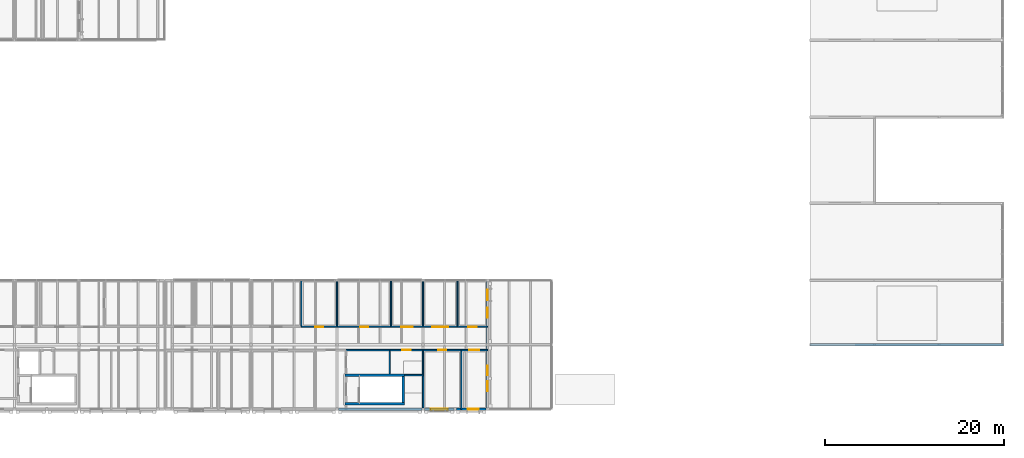
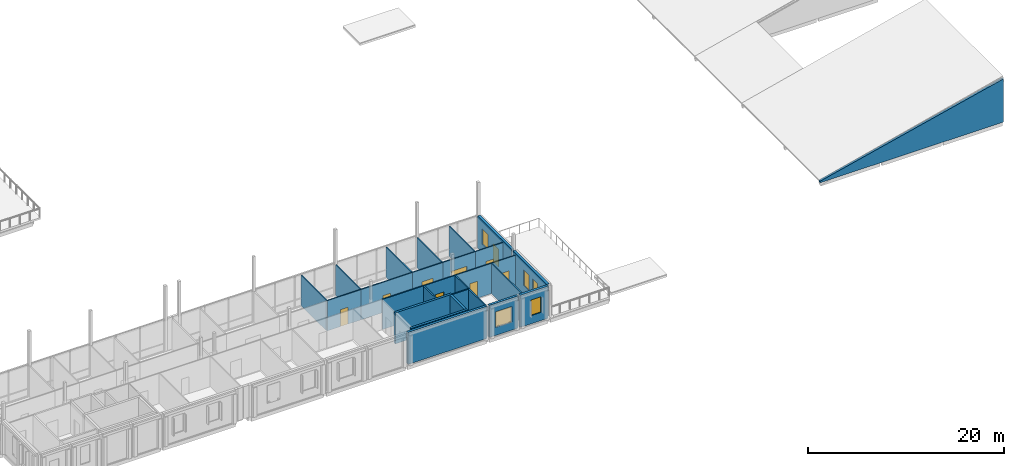
# One storey, part 43 of 57: 28 walls, 9 doors, 5 windows, 14 openings.
"""IFC4 building model written with IfcOpenShell, lengths in metres."""

import ifcopenshell
import ifcopenshell.guid

model = None  # the IFC model being written
_history = None  # IfcOwnerHistory: only IFC2X3 demands one
_inside = {}  # id of a spatial element -> (the spatial element, [elements in it])
_under = {}  # id of a project, library or spatial element -> (it, [spatial elements below it])
_declared = {}  # id of a project -> (the project, [libraries it declares])
_typed = {}  # id of a type object -> (the type object, [elements of that type])
_made_of = {}  # id of a material, layer set ... -> (it, [elements and type objects made of it])


def new_model(schema):
    """Start an empty IFC model of exactly this schema.

    Asked for "IFC4X3", IfcOpenShell would pick the latest addendum, in which some entities
    have other attributes; the version numbers below select the first issue.
    IFC2X3 requires an IfcOwnerHistory on every rooted entity: one is made here for all.
    """
    global model, _history
    if schema == "IFC4X3":
        model = ifcopenshell.file(schema_version=(4, 3, 0, 0))
    else:
        model = ifcopenshell.file(schema=schema)
    _inside.clear()
    _under.clear()
    _declared.clear()
    _typed.clear()
    _made_of.clear()
    _history = None
    if model.schema == "IFC2X3":
        org = make("IfcOrganization", Name="unknown")
        user = make(
            "IfcPersonAndOrganization",
            ThePerson=make("IfcPerson", FamilyName="unknown"),
            TheOrganization=org,
        )
        app = make(
            "IfcApplication",
            ApplicationDeveloper=org,
            Version="unknown",
            ApplicationFullName="unknown",
            ApplicationIdentifier="unknown",
        )
        _history = make(
            "IfcOwnerHistory",
            OwningUser=user,
            OwningApplication=app,
            ChangeAction="ADDED",
            CreationDate=0,
        )
    return model


def make(cls, **values):
    """One entity of the class cls with the attributes given. An attribute that is None is left unset."""
    return model.create_entity(
        cls, **{name: value for name, value in values.items() if value is not None}
    )


def rooted(cls, **values):
    """An entity with a GlobalId (a new one), such as an element, a storey or a relation."""
    return make(cls, GlobalId=ifcopenshell.guid.new(), OwnerHistory=_history, **values)


def si_unit(unit_type, name, prefix=None):
    """IfcSIUnit, for example si_unit("LENGTHUNIT", "METRE", prefix="MILLI")."""
    return make("IfcSIUnit", UnitType=unit_type, Prefix=prefix, Name=name)


def assignment(units):
    """IfcUnitAssignment: the units of a project."""
    return None if units is None else make("IfcUnitAssignment", Units=units)


def point(xyz):
    """IfcCartesianPoint."""
    return None if xyz is None else make("IfcCartesianPoint", Coordinates=xyz)


def direction(xyz):
    """IfcDirection."""
    return None if xyz is None else make("IfcDirection", DirectionRatios=xyz)


def frame(location, z_axis=None, x_axis=None):
    """IfcAxis2Placement3D, a coordinate frame: its origin and axes. An axis left out is left unset."""
    return make(
        "IfcAxis2Placement3D",
        Location=point(location),
        Axis=direction(z_axis),
        RefDirection=direction(x_axis),
    )


def frame_2d(location, x_axis=None):
    """IfcAxis2Placement2D, a coordinate frame in the plane: its origin and x axis."""
    return make(
        "IfcAxis2Placement2D", Location=point(location), RefDirection=direction(x_axis)
    )


def origin():
    """The frame at (0, 0, 0) with its axes left unset."""
    return frame((0.0, 0.0, 0.0))


def place(relative_to, where):
    """IfcLocalPlacement: puts the frame where relative to a parent placement (None: the world)."""
    return make(
        "IfcLocalPlacement", PlacementRelTo=relative_to, RelativePlacement=where
    )


def context(
    kind, dimensions, precision=None, world=None, true_north=None, identifier=None
):
    """IfcGeometricRepresentationContext, for example the 3D "Model" context."""
    return make(
        "IfcGeometricRepresentationContext",
        ContextIdentifier=identifier,
        ContextType=kind,
        CoordinateSpaceDimension=dimensions,
        Precision=precision,
        WorldCoordinateSystem=world,
        TrueNorth=true_north,
    )


def subcontext(parent, identifier, kind, view, scale=None):
    """IfcGeometricRepresentationSubContext, for example "Body" below "Model"."""
    return make(
        "IfcGeometricRepresentationSubContext",
        ContextIdentifier=identifier,
        ContextType=kind,
        ParentContext=parent,
        TargetScale=scale,
        TargetView=view,
    )


def project(units=None, contexts=None):
    """IfcProject with its units and contexts."""
    return rooted(
        "IfcProject",
        Name="project",
        RepresentationContexts=contexts,
        UnitsInContext=assignment(units),
    )


def spatial(cls, under=None, at=None, **own):
    """A site, building, storey or space (cls), placed at a placement, below another one or the project."""
    s = rooted(cls, ObjectPlacement=at, **own)
    if under is not None:
        _under.setdefault(under.id(), (under, []))[1].append(s)
    return s


def polyline(points):
    """IfcPolyline through the points."""
    return make("IfcPolyline", Points=[point(p) for p in points])


def profile(cls, at=None, kind="AREA", **sizes):
    """A parametric profile (cls). Its sizes go by their IFC names, for example OverallWidth=200.0."""
    return make(cls, ProfileType=kind, Position=at, **sizes)


def rectangle(**sizes):
    """IfcRectangleProfileDef."""
    return profile("IfcRectangleProfileDef", **sizes)


def outline(outer, holes=None, kind="AREA"):
    """IfcArbitraryClosedProfileDef: a profile drawn as a closed curve; with holes, ...WithVoids."""
    if holes is None:
        return make("IfcArbitraryClosedProfileDef", ProfileType=kind, OuterCurve=outer)
    return make(
        "IfcArbitraryProfileDefWithVoids",
        ProfileType=kind,
        OuterCurve=outer,
        InnerCurves=holes,
    )


def extrude(swept, where, along, depth):
    """IfcExtrudedAreaSolid: the profile swept, set in the frame where, extruded along a direction by depth."""
    return make(
        "IfcExtrudedAreaSolid",
        SweptArea=swept,
        Position=where,
        ExtrudedDirection=direction(along),
        Depth=depth,
    )


def shape(context_of_items, identifier, shape_type, items):
    """IfcShapeRepresentation: the items that make up one representation, for example the "Body"."""
    return make(
        "IfcShapeRepresentation",
        ContextOfItems=context_of_items,
        RepresentationIdentifier=identifier,
        RepresentationType=shape_type,
        Items=items,
    )


def material(Name=None, Category=None):
    """IfcMaterial."""
    return make("IfcMaterial", Name=Name, Category=Category)


def layer(
    of_material, thickness, ventilated=None, Name=None, Category=None, Priority=None
):
    """IfcMaterialLayer: one layer of a wall or slab, of a material (None: an air gap)."""
    return make(
        "IfcMaterialLayer",
        Material=of_material,
        LayerThickness=thickness,
        IsVentilated=ventilated,
        Name=Name,
        Category=Category,
        Priority=Priority,
    )


def layer_set(layers, Name=None):
    """IfcMaterialLayerSet."""
    return make("IfcMaterialLayerSet", MaterialLayers=layers, LayerSetName=Name)


def made_of(thing, what):
    """Note that an element or type object is made of a material, layer set ...; save() writes the relation."""
    if what is not None:
        _made_of.setdefault(what.id(), (what, []))[1].append(thing)
    return thing


def type_object(cls, material=None, **own):
    """A type object (cls), such as IfcWallType, which elements share."""
    return made_of(rooted(cls, **own), material)


def element(
    cls,
    number,
    at=None,
    inside=None,
    cuts=None,
    type_object=None,
    material=None,
    context=None,
    identifier="Body",
    shape_type=None,
    held_by="IfcProductDefinitionShape",
    body=None,
    shapes=None,
    **own,
):
    """One element of the class cls, such as IfcWall. Its Tag is "e" and its number.

    at: its placement. inside: the storey or other place that contains it. cuts: it is an
    opening in that element (IfcRelVoidsElement). A single representation is given by context,
    identifier, shape_type and body (its items); several are given by shapes. held_by: the class
    of the entity that holds the representations. save() writes the other relations.
    """
    e = rooted(cls, Tag="e%d" % number, ObjectPlacement=at, **own)
    if body is not None:
        shapes = [shape(context, identifier, shape_type, body)]
    if shapes is not None:
        e.Representation = make(held_by, Representations=shapes)
    if inside is not None:
        _inside.setdefault(inside.id(), (inside, []))[1].append(e)
    if cuts is not None:
        rooted(
            "IfcRelVoidsElement", RelatingBuildingElement=cuts, RelatedOpeningElement=e
        )
    if type_object is not None:
        _typed.setdefault(type_object.id(), (type_object, []))[1].append(e)
    return made_of(e, material)


def fill(opening, filler):
    """IfcRelFillsElement: the door or window that sits in an opening."""
    return rooted(
        "IfcRelFillsElement",
        RelatingOpeningElement=opening,
        RelatedBuildingElement=filler,
    )


def aggregate(whole, parts):
    """IfcRelAggregates: a whole, such as a stair, and the parts it consists of."""
    return rooted("IfcRelAggregates", RelatingObject=whole, RelatedObjects=parts)


def save(model, path):
    """Write the relations noted so far, then the file.

    IfcRelAggregates (storeys below a building ...), IfcRelContainedInSpatialStructure (elements
    in a storey), IfcRelDefinesByType, IfcRelAssociatesMaterial and IfcRelDeclares: one each for
    every whole, place, type object, material and project.
    """
    for whole, parts in _under.values():
        aggregate(whole, parts)
    for where, things in _inside.values():
        rooted(
            "IfcRelContainedInSpatialStructure",
            RelatedElements=things,
            RelatingStructure=where,
        )
    for kind, things in _typed.values():
        rooted("IfcRelDefinesByType", RelatedObjects=things, RelatingType=kind)
    for what, things in _made_of.values():
        rooted("IfcRelAssociatesMaterial", RelatedObjects=things, RelatingMaterial=what)
    for by, libraries in _declared.values():
        rooted("IfcRelDeclares", RelatingContext=by, RelatedDefinitions=libraries)
    model.write(path)


model = new_model("IFC4")

# Units and contexts
model_context = context("Model", 3, precision=1e-05, world=origin(), true_north=direction((0.0, 1.0)))
body_context = subcontext(model_context, "Body", "Model", "MODEL_VIEW")
ifc_project = project(units=[si_unit("LENGTHUNIT", "METRE"), si_unit("AREAUNIT", "SQUARE_METRE"), si_unit("VOLUMEUNIT", "CUBIC_METRE"), si_unit("PLANEANGLEUNIT", "RADIAN"), si_unit("MASSUNIT", "GRAM", prefix="KILO")], contexts=[model_context])

# Site, building, storey
site_placement = place(None, origin())
site = spatial("IfcSite", under=ifc_project, at=site_placement, CompositionType="ELEMENT")
building_placement = place(site_placement, origin())
building = spatial("IfcBuilding", under=site, at=building_placement, Name="Hawrajan Terrace Health Centre", CompositionType="ELEMENT")
storey_placement = place(building_placement, frame((0.0, 0.0, 13.199951171875)))
storey = spatial("IfcBuildingStorey", under=building, at=storey_placement, Name="L03", CompositionType="ELEMENT", Elevation=13.199951171875)

# Wall
ifc_material_1 = material(Name="Gypsum board on acoustic stud framing")
ifc_layer_1 = layer(ifc_material_1, 0.139892578125)
ifc_layer_set_1 = layer_set([ifc_layer_1], Name="Gypsum board on acoustic stud framing")
wall_type_1 = type_object("IfcWallType", Name="ClinicalAcousticWall_140", PredefinedType="PARTITIONING", material=ifc_layer_set_1)
wall_1_placement = place(storey_placement, frame((87.01611328125, 13.469970703125, 0.0), z_axis=(0.0, 0.0, 1.0), x_axis=(0.0, 1.0, 0.0)))
element("IfcWall", 1, at=wall_1_placement, inside=storey, type_object=wall_type_1, Name="Interior wall IW-L03-1371", PredefinedType="PARTITIONING", context=body_context, shape_type="SweptSolid", body=[
    extrude(rectangle(XDim=5.130126953125, YDim=0.139892578125, at=frame_2d((2.56494140625, 0.0))), origin(), (0.0, 0.0, 1.0), 3.75),
])

# Wall, opening, door
wall_2_placement = place(storey_placement, frame((87.01611328125, 13.39990234375, 0.0), z_axis=(0.0, 0.0, 1.0), x_axis=(1.0, 0.0, 0.0)))
wall_2 = element("IfcWall", 2, at=wall_2_placement, inside=storey, type_object=wall_type_1, Name="Interior wall IW-L03-1372", PredefinedType="PARTITIONING", context=body_context, shape_type="SweptSolid", body=[
    extrude(rectangle(XDim=3.98388671875, YDim=0.139892578125, at=frame_2d((1.991943359375, 0.0))), origin(), (0.0, 0.0, 1.0), 3.75),
])
opening_1_placement = place(wall_2_placement, frame((1.5419921875, 0.0, 0.0)))
opening_1 = element("IfcOpeningElement", 3, at=opening_1_placement, cuts=wall_2, Name="Opening D-L03-626", PredefinedType="OPENING", context=body_context, shape_type="SweptSolid", body=[
    extrude(rectangle(XDim=0.89990234375, YDim=2.10009765625, at=frame_2d((0.449951171875, 1.050048828125))), frame((0.0, 0.079833984375, 0.0), z_axis=(0.0, -1.0, 0.0), x_axis=(1.0, 0.0, 0.0)), (0.0, 0.0, 1.0), 0.159912109375),
])
ifc_material_2 = material(Name="Hardwood acoustic clinical door leaf and frame", Category="wood")
door_type_1 = type_object("IfcDoorType", Name="PatientWCDoor_900x2100", OperationType="NOTDEFINED", PredefinedType="DOOR", material=ifc_material_2)
door_1_placement = place(opening_1_placement, origin())
door_1 = element("IfcDoor", 4, at=door_1_placement, inside=storey, type_object=door_type_1, Name="Interior door D-L03-626", OperationType="SINGLE_SWING_RIGHT", OverallHeight=2.10009765625, OverallWidth=0.89990234375, PredefinedType="DOOR", context=body_context, shape_type="SweptSolid", body=[
    extrude(rectangle(XDim=0.89990234375, YDim=2.10009765625, at=frame_2d((0.449951171875, 1.050048828125))), frame((0.0, 0.02490234375, 0.0), z_axis=(0.0, -1.0, 0.0), x_axis=(1.0, 0.0, 0.0)), (0.0, 0.0, 1.0), 0.050048828125),
])
fill(opening_1, door_1)

# Wall
wall_3_placement = place(storey_placement, frame((91.0, 13.469970703125, 0.0), z_axis=(0.0, 0.0, 1.0), x_axis=(0.0, 1.0, 0.0)))
element("IfcWall", 5, at=wall_3_placement, inside=storey, type_object=wall_type_1, Name="Interior wall IW-L03-1375", PredefinedType="PARTITIONING", context=body_context, shape_type="SweptSolid", body=[
    extrude(rectangle(XDim=4.969970703125, YDim=0.139892578125, at=frame_2d((2.48486328125, 0.0))), origin(), (0.0, 0.0, 1.0), 3.75),
])

# Wall, opening, door
wall_4_placement = place(storey_placement, frame((91.0, 13.39990234375, 0.0), z_axis=(0.0, 0.0, 1.0), x_axis=(1.0, 0.0, 0.0)))
wall_4 = element("IfcWall", 6, at=wall_4_placement, inside=storey, type_object=wall_type_1, Name="Interior wall IW-L03-1376", PredefinedType="PARTITIONING", context=body_context, shape_type="SweptSolid", body=[
    extrude(rectangle(XDim=6.029052734375, YDim=0.139892578125, at=frame_2d((3.0146484375, 0.0))), origin(), (0.0, 0.0, 1.0), 3.75),
])
opening_2_placement = place(wall_4_placement, frame((2.564453125, 0.0, 0.0)))
opening_2 = element("IfcOpeningElement", 7, at=opening_2_placement, cuts=wall_4, Name="Opening D-L03-629", PredefinedType="OPENING", context=body_context, shape_type="SweptSolid", body=[
    extrude(rectangle(XDim=0.89990234375, YDim=2.10009765625, at=frame_2d((0.449951171875, 1.050048828125))), frame((0.0, 0.079833984375, 0.0), z_axis=(0.0, -1.0, 0.0), x_axis=(1.0, 0.0, 0.0)), (0.0, 0.0, 1.0), 0.159912109375),
])
door_2_placement = place(opening_2_placement, origin())
door_2 = element("IfcDoor", 8, at=door_2_placement, inside=storey, type_object=door_type_1, Name="Interior door D-L03-629", OperationType="SINGLE_SWING_LEFT", OverallHeight=2.10009765625, OverallWidth=0.89990234375, PredefinedType="DOOR", context=body_context, shape_type="SweptSolid", body=[
    extrude(rectangle(XDim=0.89990234375, YDim=2.10009765625, at=frame_2d((0.449951171875, 1.050048828125))), frame((0.0, 0.02490234375, 0.0), z_axis=(0.0, -1.0, 0.0), x_axis=(1.0, 0.0, 0.0)), (0.0, 0.0, 1.0), 0.050048828125),
])
fill(opening_2, door_2)

# Walls
wall_5_placement = place(storey_placement, frame((92.0, 10.800048828125, 0.0), z_axis=(0.0, 0.0, 1.0), x_axis=(1.0, 0.0, 0.0)))
element("IfcWall", 9, at=wall_5_placement, inside=storey, type_object=wall_type_1, Name="Interior wall IW-L03-1378", PredefinedType="PARTITIONING", context=body_context, shape_type="SweptSolid", body=[
    extrude(rectangle(XDim=4.885009765625, YDim=0.139892578125, at=frame_2d((2.4423828125, 0.0))), origin(), (0.0, 0.0, 1.0), 3.75),
])
wall_6_placement = place(storey_placement, frame((96.885009765625, 8.139892578125, 0.0), z_axis=(0.0, 0.0, 1.0), x_axis=(0.0, 1.0, 0.0)))
element("IfcWall", 10, at=wall_6_placement, inside=storey, type_object=wall_type_1, Name="Interior wall IW-L03-1379", PredefinedType="PARTITIONING", context=body_context, shape_type="SweptSolid", body=[
    extrude(rectangle(XDim=2.590087890625, YDim=0.139892578125, at=frame_2d((1.294921875, 0.0))), origin(), (0.0, 0.0, 1.0), 3.75),
])

# Wall, opening, door
wall_7_placement = place(storey_placement, frame((96.885009765625, 10.800048828125, 0.0), z_axis=(0.0, 0.0, 1.0), x_axis=(1.0, 0.0, 0.0)))
wall_7 = element("IfcWall", 11, at=wall_7_placement, inside=storey, type_object=wall_type_1, Name="Interior wall IW-L03-1380", PredefinedType="PARTITIONING", context=body_context, shape_type="SweptSolid", body=[
    extrude(rectangle(XDim=3.715087890625, YDim=0.139892578125, at=frame_2d((1.857421875, 0.0))), origin(), (0.0, 0.0, 1.0), 3.75),
])
opening_3_placement = place(wall_7_placement, frame((1.367431640625, 0.0, 0.0)))
opening_3 = element("IfcOpeningElement", 12, at=opening_3_placement, cuts=wall_7, Name="Opening D-L03-628", PredefinedType="OPENING", context=body_context, shape_type="SweptSolid", body=[
    extrude(rectangle(XDim=0.97998046875, YDim=2.14990234375, at=frame_2d((0.489990234375, 1.074951171875))), frame((0.0, 0.079833984375, 0.0), z_axis=(0.0, -1.0, 0.0), x_axis=(1.0, 0.0, 0.0)), (0.0, 0.0, 1.0), 0.159912109375),
])
door_type_2 = type_object("IfcDoorType", Name="ConsultDoor_980x2150", OperationType="NOTDEFINED", PredefinedType="DOOR", material=ifc_material_2)
door_3_placement = place(opening_3_placement, origin())
door_3 = element("IfcDoor", 13, at=door_3_placement, inside=storey, type_object=door_type_2, Name="Interior door D-L03-628", OperationType="SINGLE_SWING_RIGHT", OverallHeight=2.14990234375, OverallWidth=0.97998046875, PredefinedType="DOOR", context=body_context, shape_type="SweptSolid", body=[
    extrude(rectangle(XDim=0.97998046875, YDim=2.14990234375, at=frame_2d((0.489990234375, 1.074951171875))), frame((0.0, 0.02490234375, 0.0), z_axis=(0.0, -1.0, 0.0), x_axis=(1.0, 0.0, 0.0)), (0.0, 0.0, 1.0), 0.050048828125),
])
fill(opening_3, door_3)

# Wall
wall_8_placement = place(storey_placement, frame((97.029052734375, 13.469970703125, 0.0), z_axis=(0.0, 0.0, 1.0), x_axis=(0.0, 1.0, 0.0)))
element("IfcWall", 14, at=wall_8_placement, inside=storey, type_object=wall_type_1, Name="Interior wall IW-L03-1381", PredefinedType="PARTITIONING", context=body_context, shape_type="SweptSolid", body=[
    extrude(rectangle(XDim=5.130126953125, YDim=0.139892578125, at=frame_2d((2.56494140625, 0.0))), origin(), (0.0, 0.0, 1.0), 3.75),
])

# Wall, opening, door
wall_9_placement = place(storey_placement, frame((97.029052734375, 13.39990234375, 0.0), z_axis=(0.0, 0.0, 1.0), x_axis=(1.0, 0.0, 0.0)))
wall_9 = element("IfcWall", 15, at=wall_9_placement, inside=storey, type_object=wall_type_1, Name="Interior wall IW-L03-1382", PredefinedType="PARTITIONING", context=body_context, shape_type="SweptSolid", body=[
    extrude(rectangle(XDim=3.571044921875, YDim=0.139892578125, at=frame_2d((1.78564453125, 0.0))), origin(), (0.0, 0.0, 1.0), 3.75),
])
opening_4_placement = place(wall_9_placement, frame((1.1455078125, 0.0, 0.0)))
opening_4 = element("IfcOpeningElement", 16, at=opening_4_placement, cuts=wall_9, Name="Opening D-L03-630", PredefinedType="OPENING", context=body_context, shape_type="SweptSolid", body=[
    extrude(rectangle(XDim=1.280029296875, YDim=2.199951171875, at=frame_2d((0.64013671875, 1.10009765625))), frame((0.0, 0.079833984375, 0.0), z_axis=(0.0, -1.0, 0.0), x_axis=(1.0, 0.0, 0.0)), (0.0, 0.0, 1.0), 0.159912109375),
])
door_type_3 = type_object("IfcDoorType", Name="ExamSuiteDoor_1280x2200", OperationType="NOTDEFINED", PredefinedType="DOOR", material=ifc_material_2)
door_4_placement = place(opening_4_placement, origin())
door_4 = element("IfcDoor", 17, at=door_4_placement, inside=storey, type_object=door_type_3, Name="Interior door D-L03-630", OperationType="SINGLE_SWING_RIGHT", OverallHeight=2.199951171875, OverallWidth=1.280029296875, PredefinedType="DOOR", context=body_context, shape_type="SweptSolid", body=[
    extrude(rectangle(XDim=1.280029296875, YDim=2.199951171875, at=frame_2d((0.64013671875, 1.10009765625))), frame((0.0, 0.02490234375, 0.0), z_axis=(0.0, -1.0, 0.0), x_axis=(1.0, 0.0, 0.0)), (0.0, 0.0, 1.0), 0.050048828125),
])
fill(opening_4, door_4)

# Wall
wall_10_placement = place(storey_placement, frame((100.60009765625, 8.0, 0.0), z_axis=(0.0, 0.0, 1.0), x_axis=(0.0, 1.0, 0.0)))
element("IfcWall", 18, at=wall_10_placement, inside=storey, type_object=wall_type_1, Name="Interior wall IW-L03-1383", PredefinedType="PARTITIONING", context=body_context, shape_type="SweptSolid", body=[
    extrude(rectangle(XDim=2.72998046875, YDim=0.139892578125, at=frame_2d((1.364990234375, 0.0))), origin(), (0.0, 0.0, 1.0), 3.75),
])

# Wall, opening, door
wall_11_placement = place(storey_placement, frame((100.60009765625, 10.800048828125, 0.0), z_axis=(0.0, 0.0, 1.0), x_axis=(1.0, 0.0, 0.0)))
wall_11 = element("IfcWall", 19, at=wall_11_placement, inside=storey, type_object=wall_type_1, Name="Interior wall IW-L03-1384", PredefinedType="PARTITIONING", context=body_context, shape_type="SweptSolid", body=[
    extrude(rectangle(XDim=4.27001953125, YDim=0.139892578125, at=frame_2d((2.135009765625, 0.0))), origin(), (0.0, 0.0, 1.0), 3.75),
])
opening_5_placement = place(wall_11_placement, frame((1.68505859375, 0.0, 0.0)))
opening_5 = element("IfcOpeningElement", 20, at=opening_5_placement, cuts=wall_11, Name="Opening D-L03-631", PredefinedType="OPENING", context=body_context, shape_type="SweptSolid", body=[
    extrude(rectangle(XDim=0.89990234375, YDim=2.10009765625, at=frame_2d((0.449951171875, 1.050048828125))), frame((0.0, 0.079833984375, 0.0), z_axis=(0.0, -1.0, 0.0), x_axis=(1.0, 0.0, 0.0)), (0.0, 0.0, 1.0), 0.159912109375),
])
door_5_placement = place(opening_5_placement, origin())
door_5 = element("IfcDoor", 21, at=door_5_placement, inside=storey, type_object=door_type_1, Name="Interior door D-L03-631", OperationType="SINGLE_SWING_LEFT", OverallHeight=2.10009765625, OverallWidth=0.89990234375, PredefinedType="DOOR", context=body_context, shape_type="SweptSolid", body=[
    extrude(rectangle(XDim=0.89990234375, YDim=2.10009765625, at=frame_2d((0.449951171875, 1.050048828125))), frame((0.0, 0.02490234375, 0.0), z_axis=(0.0, -1.0, 0.0), x_axis=(1.0, 0.0, 0.0)), (0.0, 0.0, 1.0), 0.050048828125),
])
fill(opening_5, door_5)

# Wall
wall_12_placement = place(storey_placement, frame((100.60009765625, 13.469970703125, 0.0), z_axis=(0.0, 0.0, 1.0), x_axis=(0.0, 1.0, 0.0)))
element("IfcWall", 22, at=wall_12_placement, inside=storey, type_object=wall_type_1, Name="Interior wall IW-L03-1385", PredefinedType="PARTITIONING", context=body_context, shape_type="SweptSolid", body=[
    extrude(rectangle(XDim=4.989990234375, YDim=0.139892578125, at=frame_2d((2.4951171875, 0.0))), origin(), (0.0, 0.0, 1.0), 3.75),
])

# Wall, opening, door
wall_13_placement = place(storey_placement, frame((100.60009765625, 13.39990234375, 0.0), z_axis=(0.0, 0.0, 1.0), x_axis=(1.0, 0.0, 0.0)))
wall_13 = element("IfcWall", 23, at=wall_13_placement, inside=storey, type_object=wall_type_1, Name="Interior wall IW-L03-1386", PredefinedType="PARTITIONING", context=body_context, shape_type="SweptSolid", body=[
    extrude(rectangle(XDim=3.844970703125, YDim=0.139892578125, at=frame_2d((1.92236328125, 0.0))), origin(), (0.0, 0.0, 1.0), 3.75),
])
opening_6_placement = place(wall_13_placement, frame((1.0224609375, 0.0, 0.0)))
opening_6 = element("IfcOpeningElement", 24, at=opening_6_placement, cuts=wall_13, Name="Opening D-L03-633", PredefinedType="OPENING", context=body_context, shape_type="SweptSolid", body=[
    extrude(rectangle(XDim=1.800048828125, YDim=2.300048828125, at=frame_2d((0.89990234375, 1.14990234375))), frame((0.0, 0.079833984375, 0.0), z_axis=(0.0, -1.0, 0.0), x_axis=(1.0, 0.0, 0.0)), (0.0, 0.0, 1.0), 0.159912109375),
])
door_type_4 = type_object("IfcDoorType", Name="EducationHallDoor_1800x2300", OperationType="DOUBLE_DOOR_SINGLE_SWING", PredefinedType="DOOR", material=ifc_material_2)
door_6_placement = place(opening_6_placement, origin())
door_6 = element("IfcDoor", 25, at=door_6_placement, inside=storey, type_object=door_type_4, Name="Interior door D-L03-633", OperationType="DOUBLE_DOOR_SINGLE_SWING", OverallHeight=2.300048828125, OverallWidth=1.800048828125, PredefinedType="DOOR", context=body_context, shape_type="SweptSolid", body=[
    extrude(rectangle(XDim=1.800048828125, YDim=2.300048828125, at=frame_2d((0.89990234375, 1.14990234375))), frame((0.0, 0.02490234375, 0.0), z_axis=(0.0, -1.0, 0.0), x_axis=(1.0, 0.0, 0.0)), (0.0, 0.0, 1.0), 0.050048828125),
])
fill(opening_6, door_6)

# Wall
wall_14_placement = place(storey_placement, frame((104.445068359375, 13.469970703125, 0.0), z_axis=(0.0, 0.0, 1.0), x_axis=(0.0, 1.0, 0.0)))
element("IfcWall", 26, at=wall_14_placement, inside=storey, type_object=wall_type_1, Name="Interior wall IW-L03-1387", PredefinedType="PARTITIONING", context=body_context, shape_type="SweptSolid", body=[
    extrude(rectangle(XDim=5.130126953125, YDim=0.139892578125, at=frame_2d((2.56494140625, 0.0))), origin(), (0.0, 0.0, 1.0), 3.75),
])

# Wall, opening, door
wall_15_placement = place(storey_placement, frame((104.445068359375, 13.39990234375, 0.0), z_axis=(0.0, 0.0, 1.0), x_axis=(1.0, 0.0, 0.0)))
wall_15 = element("IfcWall", 27, at=wall_15_placement, inside=storey, type_object=wall_type_1, Name="Interior wall IW-L03-1388", PredefinedType="PARTITIONING", context=body_context, shape_type="SweptSolid", body=[
    extrude(rectangle(XDim=3.35498046875, YDim=0.139892578125, at=frame_2d((1.677490234375, 0.0))), origin(), (0.0, 0.0, 1.0), 3.75),
])
opening_7_placement = place(wall_15_placement, frame((1.2275390625, 0.0, 0.0)))
opening_7 = element("IfcOpeningElement", 28, at=opening_7_placement, cuts=wall_15, Name="Opening D-L03-634", PredefinedType="OPENING", context=body_context, shape_type="SweptSolid", body=[
    extrude(rectangle(XDim=0.89990234375, YDim=2.10009765625, at=frame_2d((0.449951171875, 1.050048828125))), frame((0.0, 0.079833984375, 0.0), z_axis=(0.0, -1.0, 0.0), x_axis=(1.0, 0.0, 0.0)), (0.0, 0.0, 1.0), 0.159912109375),
])
door_7_placement = place(opening_7_placement, origin())
door_7 = element("IfcDoor", 29, at=door_7_placement, inside=storey, type_object=door_type_1, Name="Interior door D-L03-634", OperationType="SINGLE_SWING_RIGHT", OverallHeight=2.10009765625, OverallWidth=0.89990234375, PredefinedType="DOOR", context=body_context, shape_type="SweptSolid", body=[
    extrude(rectangle(XDim=0.89990234375, YDim=2.10009765625, at=frame_2d((0.449951171875, 1.050048828125))), frame((0.0, 0.02490234375, 0.0), z_axis=(0.0, -1.0, 0.0), x_axis=(1.0, 0.0, 0.0)), (0.0, 0.0, 1.0), 0.050048828125),
])
fill(opening_7, door_7)

# Wall
wall_16_placement = place(storey_placement, frame((104.8701171875, 4.199951171875, 0.0), z_axis=(0.0, 0.0, 1.0), x_axis=(0.0, 1.0, 0.0)))
element("IfcWall", 30, at=wall_16_placement, inside=storey, type_object=wall_type_1, Name="Interior wall IW-L03-1389", PredefinedType="PARTITIONING", context=body_context, shape_type="SweptSolid", body=[
    extrude(rectangle(XDim=6.530029296875, YDim=0.139892578125, at=frame_2d((3.26513671875, 0.0))), origin(), (0.0, 0.0, 1.0), 3.75),
])

# Wall, opening, door
wall_17_placement = place(storey_placement, frame((104.8701171875, 10.800048828125, 0.0), z_axis=(0.0, 0.0, 1.0), x_axis=(1.0, 0.0, 0.0)))
wall_17 = element("IfcWall", 31, at=wall_17_placement, inside=storey, type_object=wall_type_1, Name="Interior wall IW-L03-1390", PredefinedType="PARTITIONING", context=body_context, shape_type="SweptSolid", body=[
    extrude(rectangle(XDim=2.929931640625, YDim=0.139892578125, at=frame_2d((1.46484375, 0.0))), origin(), (0.0, 0.0, 1.0), 3.75),
])
opening_8_placement = place(wall_17_placement, frame((0.9150390625, 0.0, 0.0)))
opening_8 = element("IfcOpeningElement", 32, at=opening_8_placement, cuts=wall_17, Name="Opening D-L03-632", PredefinedType="OPENING", context=body_context, shape_type="SweptSolid", body=[
    extrude(rectangle(XDim=1.10009765625, YDim=2.10009765625, at=frame_2d((0.550048828125, 1.050048828125))), frame((0.0, 0.079833984375, 0.0), z_axis=(0.0, -1.0, 0.0), x_axis=(1.0, 0.0, 0.0)), (0.0, 0.0, 1.0), 0.159912109375),
])
door_type_5 = type_object("IfcDoorType", Name="ConsultDoor_1100x2100", OperationType="NOTDEFINED", PredefinedType="DOOR", material=ifc_material_2)
door_8_placement = place(opening_8_placement, origin())
door_8 = element("IfcDoor", 33, at=door_8_placement, inside=storey, type_object=door_type_5, Name="Interior door D-L03-632", OperationType="SINGLE_SWING_RIGHT", OverallHeight=2.10009765625, OverallWidth=1.10009765625, PredefinedType="DOOR", context=body_context, shape_type="SweptSolid", body=[
    extrude(rectangle(XDim=1.10009765625, YDim=2.10009765625, at=frame_2d((0.550048828125, 1.050048828125))), frame((0.0, 0.02490234375, 0.0), z_axis=(0.0, -1.0, 0.0), x_axis=(1.0, 0.0, 0.0)), (0.0, 0.0, 1.0), 0.050048828125),
])
fill(opening_8, door_8)

# Walls
ifc_material_3 = material(Name="Concrete C40/50", Category="concrete")
ifc_layer_2 = layer(ifc_material_3, 0.260009765625)
ifc_layer_set_2 = layer_set([ifc_layer_2], Name="Concrete C40/50")
wall_type_2 = type_object("IfcWallType", Name="CoreShearWall_RC260", PredefinedType="SHEAR", material=ifc_layer_set_2)
for number, where, z_axis, x_axis, name in (
    (34, (91.8701171875, 4.800048828125, 0.0), (0.0, 0.0, 1.0), (1.0, 0.0, 0.0), "Core shear wall SW-S5-L03-S"),
    (35, (91.8701171875, 8.0, 0.0), (0.0, 0.0, 1.0), (1.0, 0.0, 0.0), "Core shear wall SW-S5-L03-N"),
):
    element("IfcWall", number, at=place(storey_placement, frame(where, z_axis=z_axis, x_axis=x_axis)), inside=storey, type_object=wall_type_2, Name=name, PredefinedType="SHEAR", context=body_context, shape_type="SweptSolid", body=[
        extrude(rectangle(XDim=6.659912109375, YDim=0.260009765625, at=frame_2d((3.330078125, 0.0))), origin(), (0.0, 0.0, 1.0), 3.85009765625),
    ])
wall_18_placement = place(storey_placement, frame((98.39990234375, 4.929931640625, 0.0), z_axis=(0.0, 0.0, 1.0), x_axis=(0.0, 1.0, 0.0)))
element("IfcWall", 36, at=wall_18_placement, inside=storey, type_object=wall_type_2, Name="Core shear wall SW-S5-L03-E", PredefinedType="SHEAR", context=body_context, shape_type="SweptSolid", body=[
    extrude(rectangle(XDim=2.940185546875, YDim=0.260009765625, at=frame_2d((1.47021484375, 0.0))), origin(), (0.0, 0.0, 1.0), 3.85009765625),
])
ifc_layer_3 = layer(ifc_material_1, 0.159912109375)
ifc_layer_set_3 = layer_set([ifc_layer_3], Name="Gypsum board on acoustic stud framing")
wall_type_3 = type_object("IfcWallType", Name="CorridorFireWall_160", PredefinedType="PARTITIONING", material=ifc_layer_set_3)
wall_19_placement = place(storey_placement, frame((98.5400390625, 8.0, 0.0), z_axis=(0.0, 0.0, 1.0), x_axis=(1.0, 0.0, 0.0)))
element("IfcWall", 37, at=wall_19_placement, inside=storey, type_object=wall_type_3, Name="Interior wall IW-L03-1416", PredefinedType="PARTITIONING", context=body_context, shape_type="SweptSolid", body=[
    extrude(rectangle(XDim=2.06005859375, YDim=0.159912109375, at=frame_2d((1.030029296875, 0.0))), origin(), (0.0, 0.0, 1.0), 3.75),
])
wall_20_placement = place(storey_placement, frame((100.60009765625, 4.340087890625, 0.0), z_axis=(0.0, 0.0, 1.0), x_axis=(0.0, 1.0, 0.0)))
element("IfcWall", 38, at=wall_20_placement, inside=storey, type_object=wall_type_3, Name="Interior wall IW-L03-1417", PredefinedType="PARTITIONING", context=body_context, shape_type="SweptSolid", body=[
    extrude(rectangle(XDim=3.659912109375, YDim=0.159912109375, at=frame_2d((1.830078125, 0.0))), origin(), (0.0, 0.0, 1.0), 3.75),
])
ifc_material_4 = material(Name="Cross-laminated timber CLT C24", Category="wood")
ifc_layer_4 = layer(ifc_material_4, 0.2900390625)
ifc_layer_set_4 = layer_set([ifc_layer_4], Name="Cross-laminated timber CLT C24")
wall_type_4 = type_object("IfcWallType", Name="InsulatedTimberFacade_290", PredefinedType="SOLIDWALL", material=ifc_layer_set_4)
wall_21_placement = place(storey_placement, frame((91.159912109375, 4.199951171875, 0.0), z_axis=(0.0, 0.0, 1.0), x_axis=(1.0, 0.0, 0.0)))
element("IfcWall", 39, at=wall_21_placement, inside=storey, type_object=wall_type_4, Name="Exterior wall EW-L03-H11-00-1", PredefinedType="SOLIDWALL", context=body_context, shape_type="SweptSolid", body=[
    extrude(rectangle(XDim=9.300048828125, YDim=0.2900390625, at=frame_2d((4.64990234375, 0.0))), origin(), (0.0, 0.0, 1.0), 4.0),
])

# Wall, opening, window
wall_22_placement = place(storey_placement, frame((100.739990234375, 4.199951171875, 0.0), z_axis=(0.0, 0.0, 1.0), x_axis=(1.0, 0.0, 0.0)))
wall_22 = element("IfcWall", 40, at=wall_22_placement, inside=storey, type_object=wall_type_4, Name="Exterior wall EW-L03-H12-00-1", PredefinedType="SOLIDWALL", context=body_context, shape_type="SweptSolid", body=[
    extrude(rectangle(XDim=3.340087890625, YDim=0.2900390625, at=frame_2d((1.669921875, 0.0))), origin(), (0.0, 0.0, 1.0), 4.0),
])
opening_9_placement = place(wall_22_placement, frame((0.719970703125, 0.0, 1.0)))
opening_9 = element("IfcOpeningElement", 41, at=opening_9_placement, cuts=wall_22, Name="Opening W-L03-207", PredefinedType="OPENING", context=body_context, shape_type="SweptSolid", body=[
    extrude(rectangle(XDim=1.89990234375, YDim=1.949951171875, at=frame_2d((0.949951171875, 0.97509765625))), frame((0.0, 0.155029296875, 0.0), z_axis=(0.0, -1.0, 0.0), x_axis=(1.0, 0.0, 0.0)), (0.0, 0.0, 1.0), 0.31005859375),
])
ifc_material_5 = material(Name="Anodized bronze frame with double low-E glazing", Category="glass")
window_type_1 = type_object("IfcWindowType", Name="FacadeWindow_1900x1950", PartitioningType="DOUBLE_PANEL_VERTICAL", PredefinedType="WINDOW", material=ifc_material_5)
window_1_placement = place(opening_9_placement, origin())
window_1 = element("IfcWindow", 42, at=window_1_placement, inside=storey, type_object=window_type_1, Name="Window W-L03-207", OverallHeight=1.949951171875, OverallWidth=1.89990234375, PartitioningType="DOUBLE_PANEL_VERTICAL", PredefinedType="WINDOW", context=body_context, shape_type="SweptSolid", body=[
    extrude(rectangle(XDim=1.89990234375, YDim=1.949951171875, at=frame_2d((0.949951171875, 0.97509765625))), frame((0.0, 0.030029296875, 0.0), z_axis=(0.0, -1.0, 0.0), x_axis=(1.0, 0.0, 0.0)), (0.0, 0.0, 1.0), 0.06005859375),
])
fill(opening_9, window_1)

wall_23_placement = place(storey_placement, frame((104.320068359375, 4.199951171875, 0.0), z_axis=(0.0, 0.0, 1.0), x_axis=(1.0, 0.0, 0.0)))
wall_23 = element("IfcWall", 43, at=wall_23_placement, inside=storey, type_object=wall_type_4, Name="Exterior wall EW-L03-H12-00-2", PredefinedType="SOLIDWALL", context=body_context, shape_type="SweptSolid", body=[
    extrude(rectangle(XDim=3.31982421875, YDim=0.2900390625, at=frame_2d((1.659912109375, 0.0))), origin(), (0.0, 0.0, 1.0), 4.0),
])
opening_10_placement = place(wall_23_placement, frame((1.27490234375, 0.0, 1.0)))
opening_10 = element("IfcOpeningElement", 44, at=opening_10_placement, cuts=wall_23, Name="Opening W-L03-208", PredefinedType="OPENING", context=body_context, shape_type="SweptSolid", body=[
    extrude(rectangle(XDim=1.199951171875, YDim=1.949951171875, at=frame_2d((0.60009765625, 0.97509765625))), frame((0.0, 0.155029296875, 0.0), z_axis=(0.0, -1.0, 0.0), x_axis=(1.0, 0.0, 0.0)), (0.0, 0.0, 1.0), 0.31005859375),
])
window_type_2 = type_object("IfcWindowType", Name="FacadeWindow_1200x1950", PartitioningType="SINGLE_PANEL", PredefinedType="WINDOW", material=ifc_material_5)
window_2_placement = place(opening_10_placement, origin())
window_2 = element("IfcWindow", 45, at=window_2_placement, inside=storey, type_object=window_type_2, Name="Window W-L03-208", OverallHeight=1.949951171875, OverallWidth=1.199951171875, PartitioningType="SINGLE_PANEL", PredefinedType="WINDOW", context=body_context, shape_type="SweptSolid", body=[
    extrude(rectangle(XDim=1.199951171875, YDim=1.949951171875, at=frame_2d((0.60009765625, 0.97509765625))), frame((0.0, 0.030029296875, 0.0), z_axis=(0.0, -1.0, 0.0), x_axis=(1.0, 0.0, 0.0)), (0.0, 0.0, 1.0), 0.06005859375),
])
fill(opening_10, window_2)

# Wall, openings, windows
wall_24_placement = place(storey_placement, frame((107.800048828125, 4.360107421875, 0.0), z_axis=(0.0, 0.0, 1.0), x_axis=(0.0, 1.0, 0.0)))
wall_24 = element("IfcWall", 46, at=wall_24_placement, inside=storey, type_object=wall_type_4, Name="Exterior wall EW-L03-V13-00-1", PredefinedType="SOLIDWALL", context=body_context, shape_type="SweptSolid", body=[
    extrude(rectangle(XDim=6.89990234375, YDim=0.2900390625, at=frame_2d((3.449951171875, 0.0))), origin(), (0.0, 0.0, 1.0), 4.0),
])
opening_11_placement = place(wall_24_placement, frame((1.860107421875, 0.0, 1.0)))
opening_11 = element("IfcOpeningElement", 47, at=opening_11_placement, cuts=wall_24, Name="Opening W-L03-209", PredefinedType="OPENING", context=body_context, shape_type="SweptSolid", body=[
    extrude(rectangle(XDim=1.080078125, YDim=1.949951171875, at=frame_2d((0.5400390625, 0.97509765625))), frame((0.0, 0.155029296875, 0.0), z_axis=(0.0, -1.0, 0.0), x_axis=(1.0, 0.0, 0.0)), (0.0, 0.0, 1.0), 0.31005859375),
])
opening_12_placement = place(wall_24_placement, frame((3.6201171875, 0.0, 1.0)))
opening_12 = element("IfcOpeningElement", 48, at=opening_12_placement, cuts=wall_24, Name="Opening W-L03-210", PredefinedType="OPENING", context=body_context, shape_type="SweptSolid", body=[
    extrude(rectangle(XDim=1.080078125, YDim=1.949951171875, at=frame_2d((0.5400390625, 0.97509765625))), frame((0.0, 0.155029296875, 0.0), z_axis=(0.0, -1.0, 0.0), x_axis=(1.0, 0.0, 0.0)), (0.0, 0.0, 1.0), 0.31005859375),
])
window_type_3 = type_object("IfcWindowType", Name="FacadeWindow_1080x1950", PartitioningType="SINGLE_PANEL", PredefinedType="WINDOW", material=ifc_material_5)
window_3_placement = place(opening_11_placement, origin())
window_3 = element("IfcWindow", 49, at=window_3_placement, inside=storey, type_object=window_type_3, Name="Window W-L03-209", OverallHeight=1.949951171875, OverallWidth=1.080078125, PartitioningType="SINGLE_PANEL", PredefinedType="WINDOW", context=body_context, shape_type="SweptSolid", body=[
    extrude(rectangle(XDim=1.080078125, YDim=1.949951171875, at=frame_2d((0.5400390625, 0.97509765625))), frame((0.0, 0.030029296875, 0.0), z_axis=(0.0, -1.0, 0.0), x_axis=(1.0, 0.0, 0.0)), (0.0, 0.0, 1.0), 0.06005859375),
])
fill(opening_11, window_3)
window_4_placement = place(opening_12_placement, origin())
window_4 = element("IfcWindow", 50, at=window_4_placement, inside=storey, type_object=window_type_3, Name="Window W-L03-210", OverallHeight=1.949951171875, OverallWidth=1.080078125, PartitioningType="SINGLE_PANEL", PredefinedType="WINDOW", context=body_context, shape_type="SweptSolid", body=[
    extrude(rectangle(XDim=1.080078125, YDim=1.949951171875, at=frame_2d((0.5400390625, 0.97509765625))), frame((0.0, 0.030029296875, 0.0), z_axis=(0.0, -1.0, 0.0), x_axis=(1.0, 0.0, 0.0)), (0.0, 0.0, 1.0), 0.06005859375),
])
fill(opening_12, window_4)

# Wall, openings, window, door
wall_25_placement = place(storey_placement, frame((107.800048828125, 11.5400390625, 0.0), z_axis=(0.0, 0.0, 1.0), x_axis=(0.0, 1.0, 0.0)))
wall_25 = element("IfcWall", 51, at=wall_25_placement, inside=storey, type_object=wall_type_4, Name="Exterior wall EW-L03-V13-01-1", PredefinedType="SOLIDWALL", context=body_context, shape_type="SweptSolid", body=[
    extrude(rectangle(XDim=6.89990234375, YDim=0.2900390625, at=frame_2d((3.449951171875, 0.0))), origin(), (0.0, 0.0, 1.0), 4.0),
])
opening_13_placement = place(wall_25_placement, frame((2.89990234375, 0.0, 0.0)))
opening_13 = element("IfcOpeningElement", 52, at=opening_13_placement, cuts=wall_25, Name="Opening D-L03-E024", PredefinedType="OPENING", context=body_context, shape_type="SweptSolid", body=[
    extrude(rectangle(XDim=1.10009765625, YDim=2.25, at=frame_2d((0.550048828125, 1.125))), frame((0.0, 0.155029296875, 0.0), z_axis=(0.0, -1.0, 0.0), x_axis=(1.0, 0.0, 0.0)), (0.0, 0.0, 1.0), 0.31005859375),
])
opening_14_placement = place(wall_25_placement, frame((4.820068359375, 0.0, 1.0)))
opening_14 = element("IfcOpeningElement", 53, at=opening_14_placement, cuts=wall_25, Name="Opening W-L03-211", PredefinedType="OPENING", context=body_context, shape_type="SweptSolid", body=[
    extrude(rectangle(XDim=1.199951171875, YDim=1.949951171875, at=frame_2d((0.60009765625, 0.97509765625))), frame((0.0, 0.155029296875, 0.0), z_axis=(0.0, -1.0, 0.0), x_axis=(1.0, 0.0, 0.0)), (0.0, 0.0, 1.0), 0.31005859375),
])
window_5_placement = place(opening_14_placement, origin())
window_5 = element("IfcWindow", 54, at=window_5_placement, inside=storey, type_object=window_type_2, Name="Window W-L03-211", OverallHeight=1.949951171875, OverallWidth=1.199951171875, PartitioningType="SINGLE_PANEL", PredefinedType="WINDOW", context=body_context, shape_type="SweptSolid", body=[
    extrude(rectangle(XDim=1.199951171875, YDim=1.949951171875, at=frame_2d((0.60009765625, 0.97509765625))), frame((0.0, 0.030029296875, 0.0), z_axis=(0.0, -1.0, 0.0), x_axis=(1.0, 0.0, 0.0)), (0.0, 0.0, 1.0), 0.06005859375),
])
fill(opening_14, window_5)
ifc_material_6 = material(Name="Anodized bronze thermally broken fire-rated glazed door")
door_type_6 = type_object("IfcDoorType", Name="TerraceAccessDoor_1100x2250", OperationType="NOTDEFINED", PredefinedType="DOOR", material=ifc_material_6)
door_9_placement = place(opening_13_placement, frame((1.10009765625, 0.0, 0.0), z_axis=(0.0, 0.0, 1.0), x_axis=(-1.0, 0.0, 0.0)))
door_9 = element("IfcDoor", 55, at=door_9_placement, inside=storey, type_object=door_type_6, Name="Allied East Terrace Door D-L03-E024", OperationType="SINGLE_SWING_RIGHT", OverallHeight=2.25, OverallWidth=1.10009765625, PredefinedType="DOOR", context=body_context, shape_type="SweptSolid", body=[
    extrude(rectangle(XDim=1.10009765625, YDim=2.25, at=frame_2d((0.550048828125, 1.125))), frame((0.0, 0.02490234375, 0.0), z_axis=(0.0, -1.0, 0.0), x_axis=(1.0, 0.0, 0.0)), (0.0, 0.0, 1.0), 0.050048828125),
])
fill(opening_13, door_9)

# Wall
ifc_layer_5 = layer(ifc_material_4, 0.27001953125)
ifc_layer_set_5 = layer_set([ifc_layer_5], Name="Cross-laminated timber CLT C24")
wall_type_5 = type_object("IfcWallType", Name="PavilionFacadeWall_270", PredefinedType="SOLIDWALL", material=ifc_layer_set_5)
wall_26_placement = place(storey_placement, frame((143.800048828125, 11.39990234375, -0.199951171875), z_axis=(0.0, 0.0, 1.0), x_axis=(1.0, 0.0, 0.0)))
element("IfcWall", 56, at=wall_26_placement, inside=storey, type_object=wall_type_5, Name="Pavilion sloped spandrel wall TYM-V6-L03-S-FULL", PredefinedType="SOLIDWALL", context=body_context, shape_type="SweptSolid", body=[
    extrude(outline(polyline([(0.0, 0.0), (21.599853515625, 0.0), (21.60009765625, 5.385498046875), (0.0, 0.199951171875), (0.0, 0.0)])), frame((0.0, 0.135009765625, 0.0), z_axis=(0.0, -1.0, 0.0), x_axis=(1.0, 0.0, 0.0)), (0.0, 0.0, 1.0), 0.27001953125),
])

save(model, "model.ifc")
